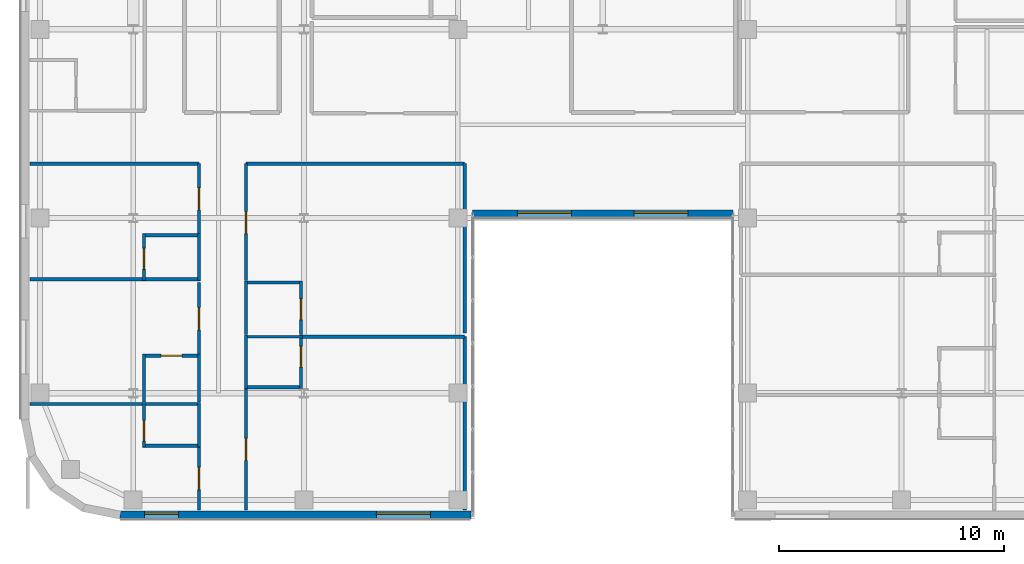
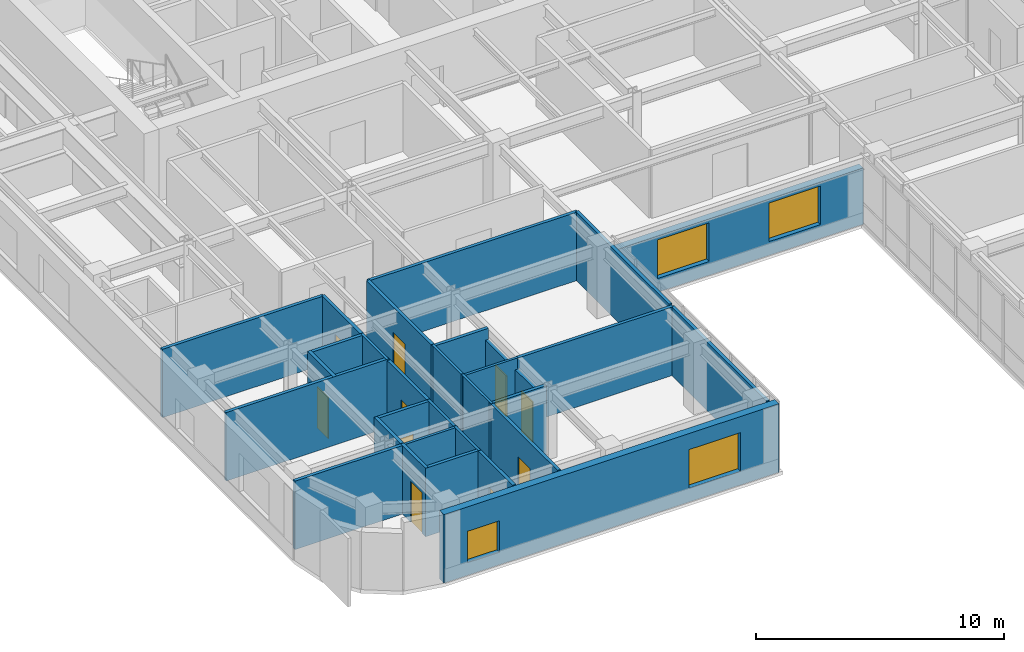
# One storey, part 9 of 20: 31 walls, 10 doors, 4 windows, 14 openings.
"""IFC4 building model written with IfcOpenShell, lengths in metres."""

from ifc_helpers import new_model, si_unit, direction, frame, frame_2d, origin, place, context, subcontext, project, spatial, rectangle, extrude, source, transform, mapped, material, layer, layer_set, type_object, type_shapes, element, fill, save


model = new_model("IFC4")

# Units and contexts
model_context = context("Model", 3, precision=1e-05, world=origin(), true_north=direction((0.0, 1.0)))
body_context = subcontext(model_context, "Body", "Model", "MODEL_VIEW")
ifc_project = project(units=[si_unit("LENGTHUNIT", "METRE"), si_unit("AREAUNIT", "SQUARE_METRE"), si_unit("VOLUMEUNIT", "CUBIC_METRE"), si_unit("PLANEANGLEUNIT", "RADIAN"), si_unit("MASSUNIT", "GRAM", prefix="KILO")], contexts=[model_context])

# Site, building, storey
site_placement = place(None, origin())
site = spatial("IfcSite", under=ifc_project, at=site_placement, CompositionType="ELEMENT")
building_placement = place(site_placement, origin())
building = spatial("IfcBuilding", under=site, at=building_placement, Name="Tolvann Quenvar Hotel", CompositionType="ELEMENT")
storey_placement = place(building_placement, frame((0.0, 0.0, 175.449951171875)))
storey = spatial("IfcBuildingStorey", under=building, at=storey_placement, Name="L46", CompositionType="ELEMENT", Elevation=175.449951171875)

# Wall, openings, windows
ifc_material_1 = material(Name="Kiln-fired red and buff architectural clay brickwork and terracotta masonry", Category="masonry")
ifc_layer_1 = layer(ifc_material_1, 0.35009765625)
ifc_layer_set_1 = layer_set([ifc_layer_1], Name="Kiln-fired red and buff architectural clay brickwork and terracotta masonry")
wall_type_1 = type_object("IfcWallType", Name="WALL_EXT_BRICK_350", PredefinedType="SOLIDWALL", material=ifc_layer_set_1)
wall_1_placement = place(storey_placement, frame((7.01708984375, 2.77490234375, 0.0), z_axis=(0.0, 0.0, 1.0), x_axis=(1.0, 0.0, 0.0)))
wall_1 = element("IfcWall", 1, at=wall_1_placement, inside=storey, type_object=wall_type_1, Name="Exterior Chicago Brick Wall L46-E04", PredefinedType="SOLIDWALL", context=body_context, shape_type="SweptSolid", body=[
    extrude(rectangle(XDim=15.60791015625, YDim=0.35009765625, at=frame_2d((7.803955078125, 0.0))), origin(), (0.0, 0.0, 1.0), 3.3701171875),
])
opening_1_placement = place(wall_1_placement, frame((11.406982421875, 0.0, 0.679931640625)))
opening_1 = element("IfcOpeningElement", 2, at=opening_1_placement, cuts=wall_1, Name="Opening W-01", PredefinedType="OPENING", context=body_context, shape_type="SweptSolid", body=[
    extrude(rectangle(XDim=2.39990234375, YDim=1.89990234375, at=frame_2d((1.199951171875, 0.949951171875))), frame((0.0, 0.18505859375, 0.0), z_axis=(0.0, -1.0, 0.0), x_axis=(1.0, 0.0, 0.0)), (0.0, 0.0, 1.0), 0.3701171875),
])
opening_2_placement = place(wall_1_placement, frame((1.091064453125, 0.0, 0.6201171875)))
opening_2 = element("IfcOpeningElement", 3, at=opening_2_placement, cuts=wall_1, Name="Opening W-08", PredefinedType="OPENING", context=body_context, shape_type="SweptSolid", body=[
    extrude(rectangle(XDim=1.5, YDim=1.550048828125, at=frame_2d((0.75, 0.77490234375))), frame((0.0, 0.18505859375, 0.0), z_axis=(0.0, -1.0, 0.0), x_axis=(1.0, 0.0, 0.0)), (0.0, 0.0, 1.0), 0.3701171875),
])
ifc_material_2 = material(Name="Thermally broken bronze-anodised aluminium frame with double low-E glazing", Category="aluminium")
window_type_1 = type_object("IfcWindowType", Name="WIN_COR_1500x2050", PartitioningType="SINGLE_PANEL", PredefinedType="WINDOW", material=ifc_material_2)
shared_shape_1 = source(origin(), body_context, "Body", "SweptSolid", [
    extrude(rectangle(XDim=1.5, YDim=1.550048828125, at=frame_2d((0.75, 0.77490234375))), frame((0.0, 0.090087890625, 0.0), z_axis=(0.0, -1.0, 0.0), x_axis=(1.0, 0.0, 0.0)), (0.0, 0.0, 1.0), 0.06005859375),
])
type_shapes(window_type_1, [shared_shape_1])
window_1_placement = place(opening_2_placement, origin())
window_1 = element("IfcWindow", 4, at=window_1_placement, inside=storey, type_object=window_type_1, Name="Chicago Window W-08 (EW-L46-E04-WD02)", OverallHeight=1.550048828125, OverallWidth=1.5, PartitioningType="SINGLE_PANEL", PredefinedType="WINDOW", context=body_context, shape_type="MappedRepresentation", body=[
    mapped(shared_shape_1, transform((0.0, 0.0, 0.0), x_axis=(1.0, 0.0, 0.0), y_axis=(0.0, 1.0, 0.0), z_axis=(0.0, 0.0, 1.0), scale=1.0)),
])
fill(opening_2, window_1)
window_type_2 = type_object("IfcWindowType", Name="WIN_CHI_2400x2050", PartitioningType="TRIPLE_PANEL_HORIZONTAL", PredefinedType="WINDOW", material=ifc_material_2)
shared_shape_2 = source(origin(), body_context, "Body", "SweptSolid", [
    extrude(rectangle(XDim=2.39990234375, YDim=1.89990234375, at=frame_2d((1.199951171875, 0.949951171875))), frame((0.0, 0.090087890625, 0.0), z_axis=(0.0, -1.0, 0.0), x_axis=(1.0, 0.0, 0.0)), (0.0, 0.0, 1.0), 0.06005859375),
])
type_shapes(window_type_2, [shared_shape_2])
window_2_placement = place(opening_1_placement, origin())
window_2 = element("IfcWindow", 5, at=window_2_placement, inside=storey, type_object=window_type_2, Name="Chicago Window W-01 (EW-L46-E04-W01)", OverallHeight=1.89990234375, OverallWidth=2.39990234375, PartitioningType="TRIPLE_PANEL_HORIZONTAL", PredefinedType="WINDOW", context=body_context, shape_type="MappedRepresentation", body=[
    mapped(shared_shape_2, transform((0.0, 0.0, 0.0), x_axis=(1.0, 0.0, 0.0), y_axis=(0.0, 1.0, 0.0), z_axis=(0.0, 0.0, 1.0), scale=1.0)),
])
fill(opening_1, window_2)

wall_2_placement = place(storey_placement, frame((22.7099609375, 16.175048828125, 0.0), z_axis=(0.0, 0.0, 1.0), x_axis=(1.0, 0.0, 0.0)))
wall_2 = element("IfcWall", 6, at=wall_2_placement, inside=storey, type_object=wall_type_1, Name="Exterior Chicago Brick Wall L46-E06", PredefinedType="SOLIDWALL", context=body_context, shape_type="SweptSolid", body=[
    extrude(rectangle(XDim=11.580078125, YDim=0.35009765625, at=frame_2d((5.7900390625, 0.0))), origin(), (0.0, 0.0, 1.0), 2.758056640625),
])
opening_3_placement = place(wall_2_placement, frame((1.9951171875, 0.0, 0.679931640625)))
opening_3 = element("IfcOpeningElement", 7, at=opening_3_placement, cuts=wall_2, Name="Opening W-01", PredefinedType="OPENING", context=body_context, shape_type="SweptSolid", body=[
    extrude(rectangle(XDim=2.39990234375, YDim=1.89990234375, at=frame_2d((1.199951171875, 0.949951171875))), frame((0.0, 0.18505859375, 0.0), z_axis=(0.0, -1.0, 0.0), x_axis=(1.0, 0.0, 0.0)), (0.0, 0.0, 1.0), 0.3701171875),
])
opening_4_placement = place(wall_2_placement, frame((7.18505859375, 0.0, 0.679931640625)))
opening_4 = element("IfcOpeningElement", 8, at=opening_4_placement, cuts=wall_2, Name="Opening W-01", PredefinedType="OPENING", context=body_context, shape_type="SweptSolid", body=[
    extrude(rectangle(XDim=2.39990234375, YDim=1.89990234375, at=frame_2d((1.199951171875, 0.949951171875))), frame((0.0, 0.18505859375, 0.0), z_axis=(0.0, -1.0, 0.0), x_axis=(1.0, 0.0, 0.0)), (0.0, 0.0, 1.0), 0.3701171875),
])
window_3_placement = place(opening_3_placement, origin())
window_3 = element("IfcWindow", 9, at=window_3_placement, inside=storey, type_object=window_type_2, Name="Chicago Window W-01 (EW-L46-E06-W01)", OverallHeight=1.89990234375, OverallWidth=2.39990234375, PartitioningType="TRIPLE_PANEL_HORIZONTAL", PredefinedType="WINDOW", context=body_context, shape_type="MappedRepresentation", body=[
    mapped(shared_shape_2, transform((0.0, 0.0, 0.0), x_axis=(1.0, 0.0, 0.0), y_axis=(0.0, 1.0, 0.0), z_axis=(0.0, 0.0, 1.0), scale=1.0)),
])
fill(opening_3, window_3)
window_4_placement = place(opening_4_placement, origin())
window_4 = element("IfcWindow", 10, at=window_4_placement, inside=storey, type_object=window_type_2, Name="Chicago Window W-01 (EW-L46-E06-W02)", OverallHeight=1.89990234375, OverallWidth=2.39990234375, PartitioningType="TRIPLE_PANEL_HORIZONTAL", PredefinedType="WINDOW", context=body_context, shape_type="MappedRepresentation", body=[
    mapped(shared_shape_2, transform((0.0, 0.0, 0.0), x_axis=(1.0, 0.0, 0.0), y_axis=(0.0, 1.0, 0.0), z_axis=(0.0, 0.0, 1.0), scale=1.0)),
])
fill(opening_4, window_4)

# Walls
ifc_material_3 = material(Name="Moisture-resistant acoustic plumbing wall assembly")
ifc_layer_2 = layer(ifc_material_3, 0.1201171875)
ifc_layer_set_2 = layer_set([ifc_layer_2], Name="Moisture-resistant acoustic plumbing wall assembly")
wall_type_2 = type_object("IfcWallType", Name="WALL_PART_BATH_120", PredefinedType="PLUMBINGWALL", material=ifc_layer_set_2)
wall_3_placement = place(storey_placement, frame((8.010009765625, 7.719970703125, 0.0), z_axis=(0.0, 0.0, 1.0), x_axis=(1.0, 0.0, 0.0)))
element("IfcWall", 11, at=wall_3_placement, inside=storey, type_object=wall_type_2, Name="Non-Rated Plumbing Partition PT-SPC-L46-ENS-WO01-N", PredefinedType="PLUMBINGWALL", context=body_context, shape_type="SweptSolid", body=[
    extrude(rectangle(XDim=2.590087890625, YDim=0.1201171875, at=frame_2d((1.294921875, 0.0))), origin(), (0.0, 0.0, 1.0), 3.3701171875),
])
wall_4_placement = place(storey_placement, frame((10.530029296875, 5.800048828125, 0.0), z_axis=(0.0, 0.0, 1.0), x_axis=(0.0, 1.0, 0.0)))
element("IfcWall", 12, at=wall_4_placement, inside=storey, type_object=wall_type_2, Name="Non-Rated Plumbing Partition PT-SPC-L46-ENS-WO01-E", PredefinedType="PLUMBINGWALL", context=body_context, shape_type="SweptSolid", body=[
    extrude(rectangle(XDim=1.989990234375, YDim=0.1201171875, at=frame_2d((0.9951171875, 0.0))), origin(), (0.0, 0.0, 1.0), 3.3701171875),
])
wall_5_placement = place(storey_placement, frame((10.530029296875, 7.81005859375, 0.0), z_axis=(0.0, 0.0, 1.0), x_axis=(0.0, 1.0, 0.0)))
element("IfcWall", 13, at=wall_5_placement, inside=storey, type_object=wall_type_2, Name="Non-Rated Plumbing Partition PT-SPC-L46-ENS-WO02-E", PredefinedType="PLUMBINGWALL", context=body_context, shape_type="SweptSolid", body=[
    extrude(rectangle(XDim=2.130859375, YDim=0.1201171875, at=frame_2d((1.0654296875, 0.0))), origin(), (0.0, 0.0, 1.0), 3.3701171875),
])
wall_6_placement = place(storey_placement, frame((10.530029296875, 13.2099609375, 0.0), z_axis=(0.0, 0.0, 1.0), x_axis=(0.0, 1.0, 0.0)))
element("IfcWall", 14, at=wall_6_placement, inside=storey, type_object=wall_type_2, Name="Non-Rated Plumbing Partition PT-SPC-L46-ENS-WO03-E", PredefinedType="PLUMBINGWALL", context=body_context, shape_type="SweptSolid", body=[
    extrude(rectangle(XDim=2.093017578125, YDim=0.1201171875, at=frame_2d((1.04638671875, 0.0))), origin(), (0.0, 0.0, 1.0), 3.3701171875),
])
wall_7_placement = place(storey_placement, frame((12.550048828125, 10.719970703125, 0.0), z_axis=(0.0, 0.0, 1.0), x_axis=(1.0, 0.0, 0.0)))
element("IfcWall", 15, at=wall_7_placement, inside=storey, type_object=wall_type_2, Name="Non-Rated Plumbing Partition PT-SPC-L46-ENS-WI01-N", PredefinedType="PLUMBINGWALL", context=body_context, shape_type="SweptSolid", body=[
    extrude(rectangle(XDim=2.58984375, YDim=0.1201171875, at=frame_2d((1.294921875, 0.0))), origin(), (0.0, 0.0, 1.0), 3.3701171875),
])
wall_8_placement = place(storey_placement, frame((12.6201171875, 8.39990234375, 0.0), z_axis=(0.0, 0.0, 1.0), x_axis=(0.0, 1.0, 0.0)))
element("IfcWall", 16, at=wall_8_placement, inside=storey, type_object=wall_type_2, Name="Non-Rated Plumbing Partition PT-SPC-L46-ENS-WI01-W", PredefinedType="PLUMBINGWALL", context=body_context, shape_type="SweptSolid", body=[
    extrude(rectangle(XDim=2.39013671875, YDim=0.1201171875, at=frame_2d((1.195068359375, 0.0))), origin(), (0.0, 0.0, 1.0), 3.3701171875),
])
wall_9_placement = place(storey_placement, frame((12.6201171875, 10.81005859375, 0.0), z_axis=(0.0, 0.0, 1.0), x_axis=(0.0, 1.0, 0.0)))
element("IfcWall", 17, at=wall_9_placement, inside=storey, type_object=wall_type_2, Name="Non-Rated Plumbing Partition PT-SPC-L46-ENS-WI02-W", PredefinedType="PLUMBINGWALL", context=body_context, shape_type="SweptSolid", body=[
    extrude(rectangle(XDim=2.389892578125, YDim=0.1201171875, at=frame_2d((1.19482421875, 0.0))), origin(), (0.0, 0.0, 1.0), 3.3701171875),
])

# Wall, opening, door
ifc_material_4 = material(Name="Acoustic twin-stud fire-rated gypsum plasterboard partition")
ifc_layer_3 = layer(ifc_material_4, 0.14990234375)
ifc_layer_set_3 = layer_set([ifc_layer_3], Name="Acoustic twin-stud fire-rated gypsum plasterboard partition")
wall_type_3 = type_object("IfcWallType", Name="WALL_PART_SUITE_150", PredefinedType="PARTITIONING", material=ifc_layer_set_3)
wall_10_placement = place(storey_placement, frame((8.080078125, 5.800048828125, 0.0), z_axis=(0.0, 0.0, 1.0), x_axis=(0.0, 1.0, 0.0)))
wall_10 = element("IfcWall", 18, at=wall_10_placement, inside=storey, type_object=wall_type_3, Name="Interior Partition PT-SPC-L46-ENS-WO01-ENT", PredefinedType="PARTITIONING", context=body_context, shape_type="SweptSolid", body=[
    extrude(rectangle(XDim=1.989990234375, YDim=0.14990234375, at=frame_2d((0.9951171875, 0.0))), origin(), (0.0, 0.0, 1.0), 3.3701171875),
])
opening_5_placement = place(wall_10_placement, frame((0.27001953125, 0.0, 0.0)))
opening_5 = element("IfcOpeningElement", 19, at=opening_5_placement, cuts=wall_10, Name="Opening WD-01", PredefinedType="OPENING", context=body_context, shape_type="SweptSolid", body=[
    extrude(rectangle(XDim=0.919921875, YDim=2.010009765625, at=frame_2d((0.4599609375, 1.0048828125))), frame((0.0, 0.0849609375, 0.0), z_axis=(0.0, -1.0, 0.0), x_axis=(1.0, 0.0, 0.0)), (0.0, 0.0, 1.0), 0.169921875),
])
ifc_material_5 = material(Name="Solid-core American oak acoustic fire door leaf in steel frame", Category="steel")
door_type_1 = type_object("IfcDoorType", Name="DOOR_WC_920", OperationType="NOTDEFINED", PredefinedType="DOOR", material=ifc_material_5)
shared_shape_3 = source(origin(), body_context, "Body", "SweptSolid", [
    extrude(rectangle(XDim=0.919921875, YDim=2.010009765625, at=frame_2d((0.4599609375, 1.0048828125))), frame((0.0, 0.02490234375, 0.0), z_axis=(0.0, -1.0, 0.0), x_axis=(1.0, 0.0, 0.0)), (0.0, 0.0, 1.0), 0.050048828125),
])
type_shapes(door_type_1, [shared_shape_3])
door_1_placement = place(opening_5_placement, origin())
door_1 = element("IfcDoor", 20, at=door_1_placement, inside=storey, type_object=door_type_1, Name="Interior Door DOOR-SPC-L46-ENS-WO01", OperationType="SINGLE_SWING_LEFT", OverallHeight=2.010009765625, OverallWidth=0.919921875, PredefinedType="DOOR", context=body_context, shape_type="MappedRepresentation", body=[
    mapped(shared_shape_3, transform((0.0, 0.0, 0.0), x_axis=(1.0, 0.0, 0.0), y_axis=(0.0, 1.0, 0.0), z_axis=(0.0, 0.0, 1.0), scale=1.0)),
])
fill(opening_5, door_1)

# Walls
wall_11_placement = place(storey_placement, frame((8.010009765625, 5.8701171875, 0.0), z_axis=(0.0, 0.0, 1.0), x_axis=(1.0, 0.0, 0.0)))
element("IfcWall", 21, at=wall_11_placement, inside=storey, type_object=wall_type_3, Name="Interior Partition PT-SPC-L46-ENS-WO01-S", PredefinedType="PARTITIONING", context=body_context, shape_type="SweptSolid", body=[
    extrude(rectangle(XDim=2.590087890625, YDim=0.14990234375, at=frame_2d((1.294921875, 0.0))), origin(), (0.0, 0.0, 1.0), 3.3701171875),
])
wall_12_placement = place(storey_placement, frame((8.080078125, 7.81005859375, 0.0), z_axis=(0.0, 0.0, 1.0), x_axis=(0.0, 1.0, 0.0)))
element("IfcWall", 22, at=wall_12_placement, inside=storey, type_object=wall_type_3, Name="Interior Partition PT-SPC-L46-ENS-WO02-ENT", PredefinedType="PARTITIONING", context=body_context, shape_type="SweptSolid", body=[
    extrude(rectangle(XDim=2.130859375, YDim=0.14990234375, at=frame_2d((1.0654296875, 0.0))), origin(), (0.0, 0.0, 1.0), 3.3701171875),
])

# Wall, opening, door
wall_13_placement = place(storey_placement, frame((8.010009765625, 9.87109375, 0.0), z_axis=(0.0, 0.0, 1.0), x_axis=(1.0, 0.0, 0.0)))
wall_13 = element("IfcWall", 23, at=wall_13_placement, inside=storey, type_object=wall_type_3, Name="Interior Partition PT-SPC-L46-ENS-WO02-N", PredefinedType="PARTITIONING", context=body_context, shape_type="SweptSolid", body=[
    extrude(rectangle(XDim=2.590087890625, YDim=0.14990234375, at=frame_2d((1.294921875, 0.0))), origin(), (0.0, 0.0, 1.0), 3.3701171875),
])
opening_6_placement = place(wall_13_placement, frame((0.8349609375, 0.0, 0.0)))
opening_6 = element("IfcOpeningElement", 24, at=opening_6_placement, cuts=wall_13, Name="Opening WD-01", PredefinedType="OPENING", context=body_context, shape_type="SweptSolid", body=[
    extrude(rectangle(XDim=0.919921875, YDim=2.010009765625, at=frame_2d((0.4599609375, 1.0048828125))), frame((0.0, 0.0849609375, 0.0), z_axis=(0.0, -1.0, 0.0), x_axis=(1.0, 0.0, 0.0)), (0.0, 0.0, 1.0), 0.169921875),
])
door_2_placement = place(opening_6_placement, origin())
door_2 = element("IfcDoor", 25, at=door_2_placement, inside=storey, type_object=door_type_1, Name="Interior Door DOOR-SPC-L46-ENS-WO02", OperationType="SINGLE_SWING_RIGHT", OverallHeight=2.010009765625, OverallWidth=0.919921875, PredefinedType="DOOR", context=body_context, shape_type="MappedRepresentation", body=[
    mapped(shared_shape_3, transform((0.0, 0.0, 0.0), x_axis=(1.0, 0.0, 0.0), y_axis=(0.0, 1.0, 0.0), z_axis=(0.0, 0.0, 1.0), scale=1.0)),
])
fill(opening_6, door_2)

wall_14_placement = place(storey_placement, frame((8.080078125, 13.2099609375, 0.0), z_axis=(0.0, 0.0, 1.0), x_axis=(0.0, 1.0, 0.0)))
wall_14 = element("IfcWall", 26, at=wall_14_placement, inside=storey, type_object=wall_type_3, Name="Interior Partition PT-SPC-L46-ENS-WO03-ENT", PredefinedType="PARTITIONING", context=body_context, shape_type="SweptSolid", body=[
    extrude(rectangle(XDim=2.093017578125, YDim=0.14990234375, at=frame_2d((1.04638671875, 0.0))), origin(), (0.0, 0.0, 1.0), 3.3701171875),
])
opening_7_placement = place(wall_14_placement, frame((0.5166015625, 0.0, 0.0)))
opening_7 = element("IfcOpeningElement", 27, at=opening_7_placement, cuts=wall_14, Name="Opening WD-01", PredefinedType="OPENING", context=body_context, shape_type="SweptSolid", body=[
    extrude(rectangle(XDim=0.919921875, YDim=2.010009765625, at=frame_2d((0.4599609375, 1.0048828125))), frame((0.0, 0.0849609375, 0.0), z_axis=(0.0, -1.0, 0.0), x_axis=(1.0, 0.0, 0.0)), (0.0, 0.0, 1.0), 0.169921875),
])
door_3_placement = place(opening_7_placement, origin())
door_3 = element("IfcDoor", 28, at=door_3_placement, inside=storey, type_object=door_type_1, Name="Interior Door DOOR-SPC-L46-ENS-WO03", OperationType="SINGLE_SWING_LEFT", OverallHeight=2.010009765625, OverallWidth=0.919921875, PredefinedType="DOOR", context=body_context, shape_type="MappedRepresentation", body=[
    mapped(shared_shape_3, transform((0.0, 0.0, 0.0), x_axis=(1.0, 0.0, 0.0), y_axis=(0.0, 1.0, 0.0), z_axis=(0.0, 0.0, 1.0), scale=1.0)),
])
fill(opening_7, door_3)

# Walls
wall_15_placement = place(storey_placement, frame((3.0048828125, 13.280029296875, 0.0), z_axis=(0.0, 0.0, 1.0), x_axis=(1.0, 0.0, 0.0)))
element("IfcWall", 29, at=wall_15_placement, inside=storey, type_object=wall_type_3, Name="Interior Partition PT-SPC-L46-ENS-WO03-S", PredefinedType="PARTITIONING", context=body_context, shape_type="SweptSolid", body=[
    extrude(rectangle(XDim=7.59521484375, YDim=0.14990234375, at=frame_2d((3.797607421875, 0.0))), origin(), (0.0, 0.0, 1.0), 3.3701171875),
])
wall_16_placement = place(storey_placement, frame((8.010009765625, 15.23291015625, 0.0), z_axis=(0.0, 0.0, 1.0), x_axis=(1.0, 0.0, 0.0)))
element("IfcWall", 30, at=wall_16_placement, inside=storey, type_object=wall_type_3, Name="Interior Partition PT-SPC-L46-ENS-WO03-N", PredefinedType="PARTITIONING", context=body_context, shape_type="SweptSolid", body=[
    extrude(rectangle(XDim=2.590087890625, YDim=0.14990234375, at=frame_2d((1.294921875, 0.0))), origin(), (0.0, 0.0, 1.0), 3.3701171875),
])

# Wall, opening, door
wall_17_placement = place(storey_placement, frame((15.070068359375, 8.39990234375, 0.0), z_axis=(0.0, 0.0, 1.0), x_axis=(0.0, 1.0, 0.0)))
wall_17 = element("IfcWall", 31, at=wall_17_placement, inside=storey, type_object=wall_type_3, Name="Interior Partition PT-SPC-L46-ENS-WI01-ENT", PredefinedType="PARTITIONING", context=body_context, shape_type="SweptSolid", body=[
    extrude(rectangle(XDim=2.39013671875, YDim=0.14990234375, at=frame_2d((1.195068359375, 0.0))), origin(), (0.0, 0.0, 1.0), 2.8271484375),
])
opening_8_placement = place(wall_17_placement, frame((0.965087890625, 0.0, 0.0)))
opening_8 = element("IfcOpeningElement", 32, at=opening_8_placement, cuts=wall_17, Name="Opening WD-01", PredefinedType="OPENING", context=body_context, shape_type="SweptSolid", body=[
    extrude(rectangle(XDim=0.919921875, YDim=2.010009765625, at=frame_2d((0.4599609375, 1.0048828125))), frame((0.0, 0.0849609375, 0.0), z_axis=(0.0, -1.0, 0.0), x_axis=(1.0, 0.0, 0.0)), (0.0, 0.0, 1.0), 0.169921875),
])
door_4_placement = place(opening_8_placement, origin())
door_4 = element("IfcDoor", 33, at=door_4_placement, inside=storey, type_object=door_type_1, Name="Interior Door DOOR-SPC-L46-ENS-WI01", OperationType="SINGLE_SWING_RIGHT", OverallHeight=2.010009765625, OverallWidth=0.919921875, PredefinedType="DOOR", context=body_context, shape_type="MappedRepresentation", body=[
    mapped(shared_shape_3, transform((0.0, 0.0, 0.0), x_axis=(1.0, 0.0, 0.0), y_axis=(0.0, 1.0, 0.0), z_axis=(0.0, 0.0, 1.0), scale=1.0)),
])
fill(opening_8, door_4)

# Wall
wall_18_placement = place(storey_placement, frame((12.550048828125, 8.469970703125, 0.0), z_axis=(0.0, 0.0, 1.0), x_axis=(1.0, 0.0, 0.0)))
element("IfcWall", 34, at=wall_18_placement, inside=storey, type_object=wall_type_3, Name="Interior Partition PT-SPC-L46-ENS-WI01-S", PredefinedType="PARTITIONING", context=body_context, shape_type="SweptSolid", body=[
    extrude(rectangle(XDim=2.58984375, YDim=0.14990234375, at=frame_2d((1.294921875, 0.0))), origin(), (0.0, 0.0, 1.0), 3.3701171875),
])

# Wall, opening, door
wall_19_placement = place(storey_placement, frame((15.070068359375, 10.81005859375, 0.0), z_axis=(0.0, 0.0, 1.0), x_axis=(0.0, 1.0, 0.0)))
wall_19 = element("IfcWall", 35, at=wall_19_placement, inside=storey, type_object=wall_type_3, Name="Interior Partition PT-SPC-L46-ENS-WI02-ENT", PredefinedType="PARTITIONING", context=body_context, shape_type="SweptSolid", body=[
    extrude(rectangle(XDim=2.389892578125, YDim=0.14990234375, at=frame_2d((1.19482421875, 0.0))), origin(), (0.0, 0.0, 1.0), 2.8271484375),
])
opening_9_placement = place(wall_19_placement, frame((0.6650390625, 0.0, 0.0)))
opening_9 = element("IfcOpeningElement", 36, at=opening_9_placement, cuts=wall_19, Name="Opening WD-01", PredefinedType="OPENING", context=body_context, shape_type="SweptSolid", body=[
    extrude(rectangle(XDim=0.919921875, YDim=2.010009765625, at=frame_2d((0.4599609375, 1.0048828125))), frame((0.0, 0.0849609375, 0.0), z_axis=(0.0, -1.0, 0.0), x_axis=(1.0, 0.0, 0.0)), (0.0, 0.0, 1.0), 0.169921875),
])
door_5_placement = place(opening_9_placement, origin())
door_5 = element("IfcDoor", 37, at=door_5_placement, inside=storey, type_object=door_type_1, Name="Interior Door DOOR-SPC-L46-ENS-WI02", OperationType="SINGLE_SWING_LEFT", OverallHeight=2.010009765625, OverallWidth=0.919921875, PredefinedType="DOOR", context=body_context, shape_type="MappedRepresentation", body=[
    mapped(shared_shape_3, transform((0.0, 0.0, 0.0), x_axis=(1.0, 0.0, 0.0), y_axis=(0.0, 1.0, 0.0), z_axis=(0.0, 0.0, 1.0), scale=1.0)),
])
fill(opening_9, door_5)

# Wall
wall_20_placement = place(storey_placement, frame((12.550048828125, 13.1298828125, 0.0), z_axis=(0.0, 0.0, 1.0), x_axis=(1.0, 0.0, 0.0)))
element("IfcWall", 38, at=wall_20_placement, inside=storey, type_object=wall_type_3, Name="Interior Partition PT-SPC-L46-ENS-WI02-N", PredefinedType="PARTITIONING", context=body_context, shape_type="SweptSolid", body=[
    extrude(rectangle(XDim=2.58984375, YDim=0.14990234375, at=frame_2d((1.294921875, 0.0))), origin(), (0.0, 0.0, 1.0), 3.3701171875),
])

# Wall, opening, door
wall_21_placement = place(storey_placement, frame((10.530029296875, 3.0048828125, 0.0), z_axis=(0.0, 0.0, 1.0), x_axis=(0.0, 1.0, 0.0)))
wall_21 = element("IfcWall", 39, at=wall_21_placement, inside=storey, type_object=wall_type_3, Name="Interior Partition PT-SPC-L46-RM-WO01-ENT", PredefinedType="PARTITIONING", context=body_context, shape_type="SweptSolid", body=[
    extrude(rectangle(XDim=2.78515625, YDim=0.14990234375, at=frame_2d((1.392578125, 0.0))), origin(), (0.0, 0.0, 1.0), 3.3701171875),
])
opening_10_placement = place(wall_21_placement, frame((0.909912109375, 0.0, 0.0)))
opening_10 = element("IfcOpeningElement", 40, at=opening_10_placement, cuts=wall_21, Name="Opening SD-01", PredefinedType="OPENING", context=body_context, shape_type="SweptSolid", body=[
    extrude(rectangle(XDim=0.97998046875, YDim=2.1201171875, at=frame_2d((0.489990234375, 1.06005859375))), frame((0.0, 0.0849609375, 0.0), z_axis=(0.0, -1.0, 0.0), x_axis=(1.0, 0.0, 0.0)), (0.0, 0.0, 1.0), 0.169921875),
])
door_type_2 = type_object("IfcDoorType", Name="DOOR_SUITE_980", OperationType="NOTDEFINED", PredefinedType="DOOR", material=ifc_material_5)
shared_shape_4 = source(origin(), body_context, "Body", "SweptSolid", [
    extrude(rectangle(XDim=0.97998046875, YDim=2.1201171875, at=frame_2d((0.489990234375, 1.06005859375))), frame((0.0, 0.02490234375, 0.0), z_axis=(0.0, -1.0, 0.0), x_axis=(1.0, 0.0, 0.0)), (0.0, 0.0, 1.0), 0.050048828125),
])
type_shapes(door_type_2, [shared_shape_4])
door_6_placement = place(opening_10_placement, origin())
door_6 = element("IfcDoor", 41, at=door_6_placement, inside=storey, type_object=door_type_2, Name="Interior Door DOOR-SPC-L46-RM-WO01", OperationType="SINGLE_SWING_LEFT", OverallHeight=2.1201171875, OverallWidth=0.97998046875, PredefinedType="DOOR", context=body_context, shape_type="MappedRepresentation", body=[
    mapped(shared_shape_4, transform((0.0, 0.0, 0.0), x_axis=(1.0, 0.0, 0.0), y_axis=(0.0, 1.0, 0.0), z_axis=(0.0, 0.0, 1.0), scale=1.0)),
])
fill(opening_10, door_6)

# Wall
wall_22_placement = place(storey_placement, frame((3.0048828125, 7.719970703125, 0.0), z_axis=(0.0, 0.0, 1.0), x_axis=(1.0, 0.0, 0.0)))
element("IfcWall", 42, at=wall_22_placement, inside=storey, type_object=wall_type_3, Name="Interior Partition PT-SPC-L46-RM-WO01-E5", PredefinedType="PARTITIONING", context=body_context, shape_type="SweptSolid", body=[
    extrude(rectangle(XDim=5.05517578125, YDim=0.14990234375, at=frame_2d((2.527587890625, 0.0))), origin(), (0.0, 0.0, 1.0), 3.3701171875),
])

# Wall, opening, door
wall_23_placement = place(storey_placement, frame((10.530029296875, 9.950927734375, 0.0), z_axis=(0.0, 0.0, 1.0), x_axis=(0.0, 1.0, 0.0)))
wall_23 = element("IfcWall", 43, at=wall_23_placement, inside=storey, type_object=wall_type_3, Name="Interior Partition PT-SPC-L46-RM-WO02-ENT", PredefinedType="PARTITIONING", context=body_context, shape_type="SweptSolid", body=[
    extrude(rectangle(XDim=3.169189453125, YDim=0.14990234375, at=frame_2d((1.58447265625, 0.0))), origin(), (0.0, 0.0, 1.0), 3.3701171875),
])
opening_11_placement = place(wall_23_placement, frame((1.074462890625, 0.0, 0.0)))
opening_11 = element("IfcOpeningElement", 44, at=opening_11_placement, cuts=wall_23, Name="Opening SD-01", PredefinedType="OPENING", context=body_context, shape_type="SweptSolid", body=[
    extrude(rectangle(XDim=0.97998046875, YDim=2.1201171875, at=frame_2d((0.489990234375, 1.06005859375))), frame((0.0, 0.0849609375, 0.0), z_axis=(0.0, -1.0, 0.0), x_axis=(1.0, 0.0, 0.0)), (0.0, 0.0, 1.0), 0.169921875),
])
door_7_placement = place(opening_11_placement, origin())
door_7 = element("IfcDoor", 45, at=door_7_placement, inside=storey, type_object=door_type_2, Name="Interior Door DOOR-SPC-L46-RM-WO02", OperationType="SINGLE_SWING_RIGHT", OverallHeight=2.1201171875, OverallWidth=0.97998046875, PredefinedType="DOOR", context=body_context, shape_type="MappedRepresentation", body=[
    mapped(shared_shape_4, transform((0.0, 0.0, 0.0), x_axis=(1.0, 0.0, 0.0), y_axis=(0.0, 1.0, 0.0), z_axis=(0.0, 0.0, 1.0), scale=1.0)),
])
fill(opening_11, door_7)

wall_24_placement = place(storey_placement, frame((10.530029296875, 15.31298828125, 0.0), z_axis=(0.0, 0.0, 1.0), x_axis=(0.0, 1.0, 0.0)))
wall_24 = element("IfcWall", 46, at=wall_24_placement, inside=storey, type_object=wall_type_3, Name="Interior Partition PT-SPC-L46-RM-WO03-ENT", PredefinedType="PARTITIONING", context=body_context, shape_type="SweptSolid", body=[
    extrude(rectangle(XDim=3.10693359375, YDim=0.14990234375, at=frame_2d((1.553466796875, 0.0))), origin(), (0.0, 0.0, 1.0), 3.3701171875),
])
opening_12_placement = place(wall_24_placement, frame((1.04345703125, 0.0, 0.0)))
opening_12 = element("IfcOpeningElement", 47, at=opening_12_placement, cuts=wall_24, Name="Opening SD-01", PredefinedType="OPENING", context=body_context, shape_type="SweptSolid", body=[
    extrude(rectangle(XDim=0.97998046875, YDim=2.1201171875, at=frame_2d((0.489990234375, 1.06005859375))), frame((0.0, 0.0849609375, 0.0), z_axis=(0.0, -1.0, 0.0), x_axis=(1.0, 0.0, 0.0)), (0.0, 0.0, 1.0), 0.169921875),
])
door_8_placement = place(opening_12_placement, origin())
door_8 = element("IfcDoor", 48, at=door_8_placement, inside=storey, type_object=door_type_2, Name="Interior Door DOOR-SPC-L46-RM-WO03", OperationType="SINGLE_SWING_LEFT", OverallHeight=2.1201171875, OverallWidth=0.97998046875, PredefinedType="DOOR", context=body_context, shape_type="MappedRepresentation", body=[
    mapped(shared_shape_4, transform((0.0, 0.0, 0.0), x_axis=(1.0, 0.0, 0.0), y_axis=(0.0, 1.0, 0.0), z_axis=(0.0, 0.0, 1.0), scale=1.0)),
])
fill(opening_12, door_8)

# Wall
wall_25_placement = place(storey_placement, frame((3.0048828125, 18.419921875, 0.0), z_axis=(0.0, 0.0, 1.0), x_axis=(1.0, 0.0, 0.0)))
element("IfcWall", 49, at=wall_25_placement, inside=storey, type_object=wall_type_3, Name="Interior Partition PT-SPC-L46-RM-WO03-E5", PredefinedType="PARTITIONING", context=body_context, shape_type="SweptSolid", body=[
    extrude(rectangle(XDim=7.525146484375, YDim=0.14990234375, at=frame_2d((3.7626953125, 0.0))), origin(), (0.0, 0.0, 1.0), 3.3701171875),
])

# Wall, opening, door
wall_26_placement = place(storey_placement, frame((12.6201171875, 3.0048828125, 0.0), z_axis=(0.0, 0.0, 1.0), x_axis=(0.0, 1.0, 0.0)))
wall_26 = element("IfcWall", 50, at=wall_26_placement, inside=storey, type_object=wall_type_3, Name="Interior Partition PT-SPC-L46-RM-WI01-ENT", PredefinedType="PARTITIONING", context=body_context, shape_type="SweptSolid", body=[
    extrude(rectangle(XDim=5.385009765625, YDim=0.14990234375, at=frame_2d((2.6923828125, 0.0))), origin(), (0.0, 0.0, 1.0), 3.3701171875),
])
opening_13_placement = place(wall_26_placement, frame((2.2099609375, 0.0, 0.0)))
opening_13 = element("IfcOpeningElement", 51, at=opening_13_placement, cuts=wall_26, Name="Opening SD-01", PredefinedType="OPENING", context=body_context, shape_type="SweptSolid", body=[
    extrude(rectangle(XDim=0.97998046875, YDim=2.1201171875, at=frame_2d((0.489990234375, 1.06005859375))), frame((0.0, 0.0849609375, 0.0), z_axis=(0.0, -1.0, 0.0), x_axis=(1.0, 0.0, 0.0)), (0.0, 0.0, 1.0), 0.169921875),
])
door_9_placement = place(opening_13_placement, origin())
door_9 = element("IfcDoor", 52, at=door_9_placement, inside=storey, type_object=door_type_2, Name="Interior Door DOOR-SPC-L46-RM-WI01", OperationType="SINGLE_SWING_RIGHT", OverallHeight=2.1201171875, OverallWidth=0.97998046875, PredefinedType="DOOR", context=body_context, shape_type="MappedRepresentation", body=[
    mapped(shared_shape_4, transform((0.0, 0.0, 0.0), x_axis=(1.0, 0.0, 0.0), y_axis=(0.0, 1.0, 0.0), z_axis=(0.0, 0.0, 1.0), scale=1.0)),
])
fill(opening_13, door_9)

# Walls
wall_27_placement = place(storey_placement, frame((22.35009765625, 3.0048828125, 0.0), z_axis=(0.0, 0.0, 1.0), x_axis=(0.0, 1.0, 0.0)))
element("IfcWall", 53, at=wall_27_placement, inside=storey, type_object=wall_type_3, Name="Interior Partition PT-SPC-L46-RM-WI01-E2", PredefinedType="PARTITIONING", context=body_context, shape_type="SweptSolid", body=[
    extrude(rectangle(XDim=7.715087890625, YDim=0.14990234375, at=frame_2d((3.857421875, 0.0))), origin(), (0.0, 0.0, 1.0), 3.3701171875),
])
wall_28_placement = place(storey_placement, frame((15.090087890625, 10.719970703125, 0.0), z_axis=(0.0, 0.0, 1.0), x_axis=(1.0, 0.0, 0.0)))
element("IfcWall", 54, at=wall_28_placement, inside=storey, type_object=wall_type_3, Name="Interior Partition PT-SPC-L46-RM-WI01-E3", PredefinedType="PARTITIONING", context=body_context, shape_type="SweptSolid", body=[
    extrude(rectangle(XDim=7.260009765625, YDim=0.14990234375, at=frame_2d((3.6298828125, 0.0))), origin(), (0.0, 0.0, 1.0), 3.3701171875),
])

# Wall, opening, door
wall_29_placement = place(storey_placement, frame((12.6201171875, 13.2099609375, 0.0), z_axis=(0.0, 0.0, 1.0), x_axis=(0.0, 1.0, 0.0)))
wall_29 = element("IfcWall", 55, at=wall_29_placement, inside=storey, type_object=wall_type_3, Name="Interior Partition PT-SPC-L46-RM-WI02-ENT", PredefinedType="PARTITIONING", context=body_context, shape_type="SweptSolid", body=[
    extrude(rectangle(XDim=5.2099609375, YDim=0.14990234375, at=frame_2d((2.60498046875, 0.0))), origin(), (0.0, 0.0, 1.0), 3.3701171875),
])
opening_14_placement = place(wall_29_placement, frame((2.094970703125, 0.0, 0.0)))
opening_14 = element("IfcOpeningElement", 56, at=opening_14_placement, cuts=wall_29, Name="Opening SD-01", PredefinedType="OPENING", context=body_context, shape_type="SweptSolid", body=[
    extrude(rectangle(XDim=0.97998046875, YDim=2.1201171875, at=frame_2d((0.489990234375, 1.06005859375))), frame((0.0, 0.0849609375, 0.0), z_axis=(0.0, -1.0, 0.0), x_axis=(1.0, 0.0, 0.0)), (0.0, 0.0, 1.0), 0.169921875),
])
door_10_placement = place(opening_14_placement, origin())
door_10 = element("IfcDoor", 57, at=door_10_placement, inside=storey, type_object=door_type_2, Name="Interior Door DOOR-SPC-L46-RM-WI02", OperationType="SINGLE_SWING_LEFT", OverallHeight=2.1201171875, OverallWidth=0.97998046875, PredefinedType="DOOR", context=body_context, shape_type="MappedRepresentation", body=[
    mapped(shared_shape_4, transform((0.0, 0.0, 0.0), x_axis=(1.0, 0.0, 0.0), y_axis=(0.0, 1.0, 0.0), z_axis=(0.0, 0.0, 1.0), scale=1.0)),
])
fill(opening_14, door_10)

# Walls
wall_30_placement = place(storey_placement, frame((22.35009765625, 10.8798828125, 0.0), z_axis=(0.0, 0.0, 1.0), x_axis=(0.0, 1.0, 0.0)))
element("IfcWall", 58, at=wall_30_placement, inside=storey, type_object=wall_type_3, Name="Interior Partition PT-SPC-L46-RM-WI02-E4", PredefinedType="PARTITIONING", context=body_context, shape_type="SweptSolid", body=[
    extrude(rectangle(XDim=7.5400390625, YDim=0.14990234375, at=frame_2d((3.77001953125, 0.0))), origin(), (0.0, 0.0, 1.0), 3.3701171875),
])
wall_31_placement = place(storey_placement, frame((12.6201171875, 18.419921875, 0.0), z_axis=(0.0, 0.0, 1.0), x_axis=(1.0, 0.0, 0.0)))
element("IfcWall", 59, at=wall_31_placement, inside=storey, type_object=wall_type_3, Name="Interior Partition PT-SPC-L46-RM-WI02-E5", PredefinedType="PARTITIONING", context=body_context, shape_type="SweptSolid", body=[
    extrude(rectangle(XDim=9.72998046875, YDim=0.14990234375, at=frame_2d((4.864990234375, 0.0))), origin(), (0.0, 0.0, 1.0), 3.3701171875),
])

save(model, "model.ifc")
